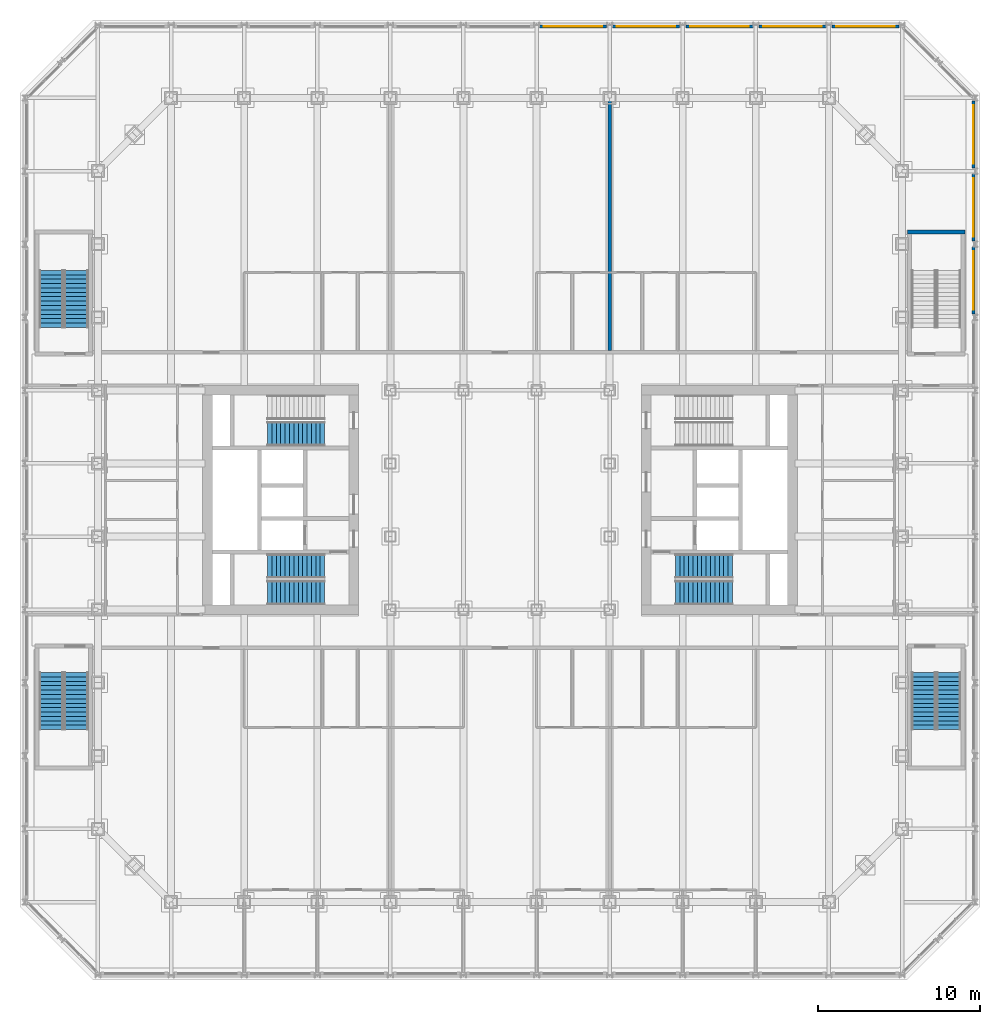
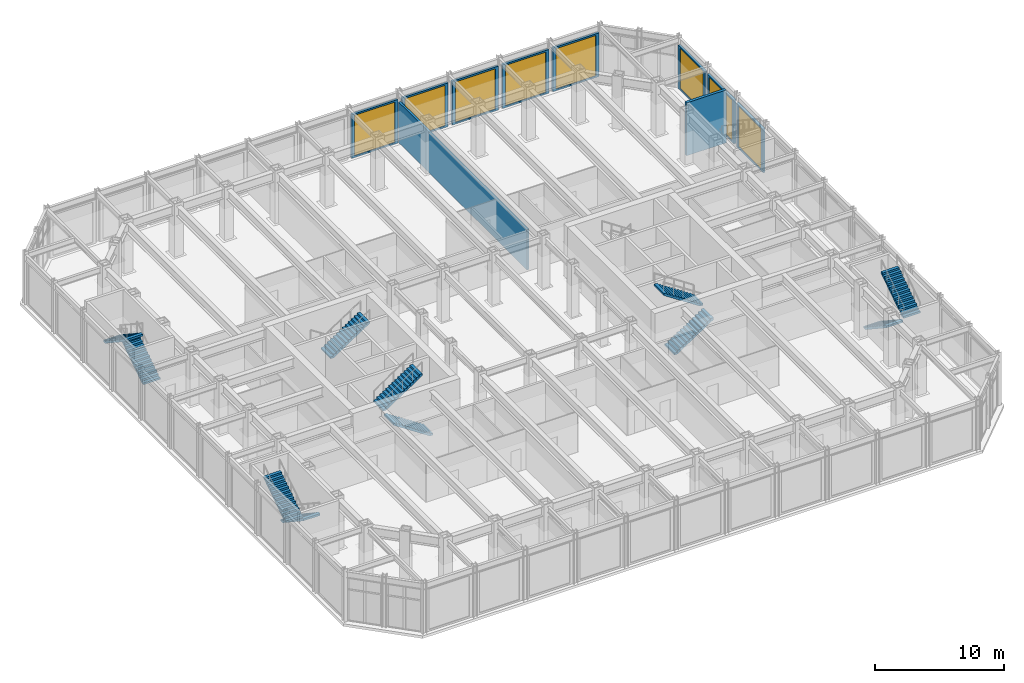
# One storey, part 15 of 19: 11 stair flights, 10 walls, 8 windows, 8 openings, 6 elements without a shape of their own.
"""IFC4 building model written with IfcOpenShell, lengths in metres."""

from ifc_helpers import new_model, si_unit, direction, frame, frame_2d, origin, place, context, subcontext, project, spatial, polyline, rectangle, outline, extrude, material, layer, layer_set, type_object, element, fill, aggregate, save


model = new_model("IFC4")

# Units and contexts
model_context = context("Model", 3, precision=1e-05, world=origin(), true_north=direction((0.0, 1.0)))
body_context = subcontext(model_context, "Body", "Model", "MODEL_VIEW")
ifc_project = project(units=[si_unit("LENGTHUNIT", "METRE"), si_unit("AREAUNIT", "SQUARE_METRE"), si_unit("VOLUMEUNIT", "CUBIC_METRE"), si_unit("PLANEANGLEUNIT", "RADIAN"), si_unit("MASSUNIT", "GRAM", prefix="KILO")], contexts=[model_context])

# Site, building, storey
site_placement = place(None, origin())
site = spatial("IfcSite", under=ifc_project, at=site_placement, CompositionType="ELEMENT")
building_placement = place(site_placement, origin())
building = spatial("IfcBuilding", under=site, at=building_placement, Name="Msasa Ring Tower", CompositionType="ELEMENT")
storey_placement = place(building_placement, frame((0.0, 0.0, 6.0)))
storey = spatial("IfcBuildingStorey", under=building, at=storey_placement, Name="L01", CompositionType="ELEMENT", Elevation=6.0)

# Wall, opening, window
ifc_material_1 = material(Name="Terracotta rainscreen on blockwork", Category="masonry")
ifc_layer_1 = layer(ifc_material_1, 0.199951171875)
ifc_layer_set_1 = layer_set([ifc_layer_1], Name="FW2 TERRACOTTA PODIUM BAY WALL 200")
wall_type_1 = type_object("IfcWallType", Name="FW2 TERRACOTTA PODIUM BAY WALL 200", PredefinedType="SOLIDWALL", material=ifc_layer_set_1)
wall_1_placement = place(storey_placement, frame((29.14990234375, 11.4375, 0.0), z_axis=(0.0, 0.0, 1.0), x_axis=(0.0, 1.0, 0.0)))
wall_1 = element("IfcWall", 1, at=wall_1_placement, inside=storey, type_object=wall_type_1, Name="Podium bay wall E L01 21", PredefinedType="SOLIDWALL", context=body_context, shape_type="SweptSolid", body=[
    extrude(rectangle(XDim=4.125, YDim=0.199951171875, at=frame_2d((2.0625, 0.0))), origin(), (0.0, 0.0, 1.0), 4.1328125),
])
opening_1_placement = place(wall_1_placement, frame((0.262451171875, 0.0, 0.14990234375)))
opening_1 = element("IfcOpeningElement", 2, at=opening_1_placement, cuts=wall_1, Name="Opening SF2", PredefinedType="OPENING", context=body_context, shape_type="SweptSolid", body=[
    extrude(rectangle(XDim=3.60009765625, YDim=3.8330078125, at=frame_2d((1.800048828125, 1.91650390625))), frame((0.0, 0.10986328125, 0.0), z_axis=(0.0, -1.0, 0.0), x_axis=(1.0, 0.0, 0.0)), (0.0, 0.0, 1.0), 0.219970703125),
])
ifc_material_2 = material(Name="Aluminium frame with clear glass", Category="aluminium")
window_type = type_object("IfcWindowType", Name="SF2 SHOPFRONT GLAZING 3600x3833", PartitioningType="SINGLE_PANEL", PredefinedType="WINDOW", material=ifc_material_2)
window_1_placement = place(opening_1_placement, origin())
window_1 = element("IfcWindow", 3, at=window_1_placement, inside=storey, type_object=window_type, Name="Shopfront glazing E L01 21", OverallHeight=3.8330078125, OverallWidth=3.60009765625, PartitioningType="SINGLE_PANEL", PredefinedType="WINDOW", context=body_context, shape_type="SweptSolid", body=[
    extrude(rectangle(XDim=3.60009765625, YDim=3.8330078125, at=frame_2d((1.800048828125, 1.91650390625))), frame((0.0, 0.030029296875, 0.0), z_axis=(0.0, -1.0, 0.0), x_axis=(1.0, 0.0, 0.0)), (0.0, 0.0, 1.0), 0.06005859375),
])
fill(opening_1, window_1)

wall_2_placement = place(storey_placement, frame((29.14990234375, 15.9375, 0.0), z_axis=(0.0, 0.0, 1.0), x_axis=(0.0, 1.0, 0.0)))
wall_2 = element("IfcWall", 4, at=wall_2_placement, inside=storey, type_object=wall_type_1, Name="Podium bay wall E L01 22", PredefinedType="SOLIDWALL", context=body_context, shape_type="SweptSolid", body=[
    extrude(rectangle(XDim=4.124755859375, YDim=0.199951171875, at=frame_2d((2.0625, 0.0))), origin(), (0.0, 0.0, 1.0), 4.1328125),
])
opening_2_placement = place(wall_2_placement, frame((0.262451171875, 0.0, 0.14990234375)))
opening_2 = element("IfcOpeningElement", 5, at=opening_2_placement, cuts=wall_2, Name="Opening SF2", PredefinedType="OPENING", context=body_context, shape_type="SweptSolid", body=[
    extrude(rectangle(XDim=3.60009765625, YDim=3.8330078125, at=frame_2d((1.800048828125, 1.91650390625))), frame((0.0, 0.10986328125, 0.0), z_axis=(0.0, -1.0, 0.0), x_axis=(1.0, 0.0, 0.0)), (0.0, 0.0, 1.0), 0.219970703125),
])
window_2_placement = place(opening_2_placement, origin())
window_2 = element("IfcWindow", 6, at=window_2_placement, inside=storey, type_object=window_type, Name="Shopfront glazing E L01 22", OverallHeight=3.8330078125, OverallWidth=3.60009765625, PartitioningType="SINGLE_PANEL", PredefinedType="WINDOW", context=body_context, shape_type="SweptSolid", body=[
    extrude(rectangle(XDim=3.60009765625, YDim=3.8330078125, at=frame_2d((1.800048828125, 1.91650390625))), frame((0.0, 0.030029296875, 0.0), z_axis=(0.0, -1.0, 0.0), x_axis=(1.0, 0.0, 0.0)), (0.0, 0.0, 1.0), 0.06005859375),
])
fill(opening_2, window_2)

wall_3_placement = place(storey_placement, frame((29.14990234375, 20.437744140625, 0.0), z_axis=(0.0, 0.0, 1.0), x_axis=(0.0, 1.0, 0.0)))
wall_3 = element("IfcWall", 7, at=wall_3_placement, inside=storey, type_object=wall_type_1, Name="Podium bay wall E L01 23", PredefinedType="SOLIDWALL", context=body_context, shape_type="SweptSolid", body=[
    extrude(rectangle(XDim=4.12451171875, YDim=0.199951171875, at=frame_2d((2.062255859375, 0.0))), origin(), (0.0, 0.0, 1.0), 4.1328125),
])
opening_3_placement = place(wall_3_placement, frame((0.26220703125, 0.0, 0.14990234375)))
opening_3 = element("IfcOpeningElement", 8, at=opening_3_placement, cuts=wall_3, Name="Opening SF2", PredefinedType="OPENING", context=body_context, shape_type="SweptSolid", body=[
    extrude(rectangle(XDim=3.60009765625, YDim=3.8330078125, at=frame_2d((1.800048828125, 1.91650390625))), frame((0.0, 0.10986328125, 0.0), z_axis=(0.0, -1.0, 0.0), x_axis=(1.0, 0.0, 0.0)), (0.0, 0.0, 1.0), 0.219970703125),
])
window_3_placement = place(opening_3_placement, origin())
window_3 = element("IfcWindow", 9, at=window_3_placement, inside=storey, type_object=window_type, Name="Shopfront glazing E L01 23", OverallHeight=3.8330078125, OverallWidth=3.60009765625, PartitioningType="SINGLE_PANEL", PredefinedType="WINDOW", context=body_context, shape_type="SweptSolid", body=[
    extrude(rectangle(XDim=3.60009765625, YDim=3.8330078125, at=frame_2d((1.800048828125, 1.91650390625))), frame((0.0, 0.030029296875, 0.0), z_axis=(0.0, -1.0, 0.0), x_axis=(1.0, 0.0, 0.0)), (0.0, 0.0, 1.0), 0.06005859375),
])
fill(opening_3, window_3)

wall_4_placement = place(storey_placement, frame((2.437744140625, 29.14990234375, 0.0), z_axis=(0.0, 0.0, 1.0), x_axis=(1.0, 0.0, 0.0)))
wall_4 = element("IfcWall", 10, at=wall_4_placement, inside=storey, type_object=wall_type_1, Name="Podium bay wall N L01 32", PredefinedType="SOLIDWALL", context=body_context, shape_type="SweptSolid", body=[
    extrude(rectangle(XDim=4.124755859375, YDim=0.199951171875, at=frame_2d((2.0625, 0.0))), origin(), (0.0, 0.0, 1.0), 4.1328125),
])
opening_4_placement = place(wall_4_placement, frame((0.26220703125, 0.0, 0.14990234375)))
opening_4 = element("IfcOpeningElement", 11, at=opening_4_placement, cuts=wall_4, Name="Opening SF2", PredefinedType="OPENING", context=body_context, shape_type="SweptSolid", body=[
    extrude(rectangle(XDim=3.60009765625, YDim=3.8330078125, at=frame_2d((1.800048828125, 1.91650390625))), frame((0.0, 0.10986328125, 0.0), z_axis=(0.0, -1.0, 0.0), x_axis=(1.0, 0.0, 0.0)), (0.0, 0.0, 1.0), 0.219970703125),
])
window_4_placement = place(opening_4_placement, origin())
window_4 = element("IfcWindow", 12, at=window_4_placement, inside=storey, type_object=window_type, Name="Shopfront glazing N L01 32", OverallHeight=3.8330078125, OverallWidth=3.60009765625, PartitioningType="SINGLE_PANEL", PredefinedType="WINDOW", context=body_context, shape_type="SweptSolid", body=[
    extrude(rectangle(XDim=3.60009765625, YDim=3.8330078125, at=frame_2d((1.800048828125, 1.91650390625))), frame((0.0, 0.030029296875, 0.0), z_axis=(0.0, -1.0, 0.0), x_axis=(1.0, 0.0, 0.0)), (0.0, 0.0, 1.0), 0.06005859375),
])
fill(opening_4, window_4)

wall_5_placement = place(storey_placement, frame((6.9375, 29.14990234375, 0.0), z_axis=(0.0, 0.0, 1.0), x_axis=(1.0, 0.0, 0.0)))
wall_5 = element("IfcWall", 13, at=wall_5_placement, inside=storey, type_object=wall_type_1, Name="Podium bay wall N L01 33", PredefinedType="SOLIDWALL", context=body_context, shape_type="SweptSolid", body=[
    extrude(rectangle(XDim=4.125, YDim=0.199951171875, at=frame_2d((2.0625, 0.0))), origin(), (0.0, 0.0, 1.0), 4.1328125),
])
opening_5_placement = place(wall_5_placement, frame((0.262451171875, 0.0, 0.14990234375)))
opening_5 = element("IfcOpeningElement", 14, at=opening_5_placement, cuts=wall_5, Name="Opening SF2", PredefinedType="OPENING", context=body_context, shape_type="SweptSolid", body=[
    extrude(rectangle(XDim=3.60009765625, YDim=3.8330078125, at=frame_2d((1.800048828125, 1.91650390625))), frame((0.0, 0.10986328125, 0.0), z_axis=(0.0, -1.0, 0.0), x_axis=(1.0, 0.0, 0.0)), (0.0, 0.0, 1.0), 0.219970703125),
])
window_5_placement = place(opening_5_placement, origin())
window_5 = element("IfcWindow", 15, at=window_5_placement, inside=storey, type_object=window_type, Name="Shopfront glazing N L01 33", OverallHeight=3.8330078125, OverallWidth=3.60009765625, PartitioningType="SINGLE_PANEL", PredefinedType="WINDOW", context=body_context, shape_type="SweptSolid", body=[
    extrude(rectangle(XDim=3.60009765625, YDim=3.8330078125, at=frame_2d((1.800048828125, 1.91650390625))), frame((0.0, 0.030029296875, 0.0), z_axis=(0.0, -1.0, 0.0), x_axis=(1.0, 0.0, 0.0)), (0.0, 0.0, 1.0), 0.06005859375),
])
fill(opening_5, window_5)

wall_6_placement = place(storey_placement, frame((11.4375, 29.14990234375, 0.0), z_axis=(0.0, 0.0, 1.0), x_axis=(1.0, 0.0, 0.0)))
wall_6 = element("IfcWall", 16, at=wall_6_placement, inside=storey, type_object=wall_type_1, Name="Podium bay wall N L01 34", PredefinedType="SOLIDWALL", context=body_context, shape_type="SweptSolid", body=[
    extrude(rectangle(XDim=4.125, YDim=0.199951171875, at=frame_2d((2.0625, 0.0))), origin(), (0.0, 0.0, 1.0), 4.1328125),
])
opening_6_placement = place(wall_6_placement, frame((0.262451171875, 0.0, 0.14990234375)))
opening_6 = element("IfcOpeningElement", 17, at=opening_6_placement, cuts=wall_6, Name="Opening SF2", PredefinedType="OPENING", context=body_context, shape_type="SweptSolid", body=[
    extrude(rectangle(XDim=3.60009765625, YDim=3.8330078125, at=frame_2d((1.800048828125, 1.91650390625))), frame((0.0, 0.10986328125, 0.0), z_axis=(0.0, -1.0, 0.0), x_axis=(1.0, 0.0, 0.0)), (0.0, 0.0, 1.0), 0.219970703125),
])
window_6_placement = place(opening_6_placement, origin())
window_6 = element("IfcWindow", 18, at=window_6_placement, inside=storey, type_object=window_type, Name="Shopfront glazing N L01 34", OverallHeight=3.8330078125, OverallWidth=3.60009765625, PartitioningType="SINGLE_PANEL", PredefinedType="WINDOW", context=body_context, shape_type="SweptSolid", body=[
    extrude(rectangle(XDim=3.60009765625, YDim=3.8330078125, at=frame_2d((1.800048828125, 1.91650390625))), frame((0.0, 0.030029296875, 0.0), z_axis=(0.0, -1.0, 0.0), x_axis=(1.0, 0.0, 0.0)), (0.0, 0.0, 1.0), 0.06005859375),
])
fill(opening_6, window_6)

wall_7_placement = place(storey_placement, frame((15.9375, 29.14990234375, 0.0), z_axis=(0.0, 0.0, 1.0), x_axis=(1.0, 0.0, 0.0)))
wall_7 = element("IfcWall", 19, at=wall_7_placement, inside=storey, type_object=wall_type_1, Name="Podium bay wall N L01 35", PredefinedType="SOLIDWALL", context=body_context, shape_type="SweptSolid", body=[
    extrude(rectangle(XDim=4.124755859375, YDim=0.199951171875, at=frame_2d((2.0625, 0.0))), origin(), (0.0, 0.0, 1.0), 4.1328125),
])
opening_7_placement = place(wall_7_placement, frame((0.262451171875, 0.0, 0.14990234375)))
opening_7 = element("IfcOpeningElement", 20, at=opening_7_placement, cuts=wall_7, Name="Opening SF2", PredefinedType="OPENING", context=body_context, shape_type="SweptSolid", body=[
    extrude(rectangle(XDim=3.60009765625, YDim=3.8330078125, at=frame_2d((1.800048828125, 1.91650390625))), frame((0.0, 0.10986328125, 0.0), z_axis=(0.0, -1.0, 0.0), x_axis=(1.0, 0.0, 0.0)), (0.0, 0.0, 1.0), 0.219970703125),
])
window_7_placement = place(opening_7_placement, origin())
window_7 = element("IfcWindow", 21, at=window_7_placement, inside=storey, type_object=window_type, Name="Shopfront glazing N L01 35", OverallHeight=3.8330078125, OverallWidth=3.60009765625, PartitioningType="SINGLE_PANEL", PredefinedType="WINDOW", context=body_context, shape_type="SweptSolid", body=[
    extrude(rectangle(XDim=3.60009765625, YDim=3.8330078125, at=frame_2d((1.800048828125, 1.91650390625))), frame((0.0, 0.030029296875, 0.0), z_axis=(0.0, -1.0, 0.0), x_axis=(1.0, 0.0, 0.0)), (0.0, 0.0, 1.0), 0.06005859375),
])
fill(opening_7, window_7)

wall_8_placement = place(storey_placement, frame((20.437744140625, 29.14990234375, 0.0), z_axis=(0.0, 0.0, 1.0), x_axis=(1.0, 0.0, 0.0)))
wall_8 = element("IfcWall", 22, at=wall_8_placement, inside=storey, type_object=wall_type_1, Name="Podium bay wall N L01 36", PredefinedType="SOLIDWALL", context=body_context, shape_type="SweptSolid", body=[
    extrude(rectangle(XDim=4.12451171875, YDim=0.199951171875, at=frame_2d((2.062255859375, 0.0))), origin(), (0.0, 0.0, 1.0), 4.1328125),
])
opening_8_placement = place(wall_8_placement, frame((0.26220703125, 0.0, 0.14990234375)))
opening_8 = element("IfcOpeningElement", 23, at=opening_8_placement, cuts=wall_8, Name="Opening SF2", PredefinedType="OPENING", context=body_context, shape_type="SweptSolid", body=[
    extrude(rectangle(XDim=3.60009765625, YDim=3.8330078125, at=frame_2d((1.800048828125, 1.91650390625))), frame((0.0, 0.10986328125, 0.0), z_axis=(0.0, -1.0, 0.0), x_axis=(1.0, 0.0, 0.0)), (0.0, 0.0, 1.0), 0.219970703125),
])
window_8_placement = place(opening_8_placement, origin())
window_8 = element("IfcWindow", 24, at=window_8_placement, inside=storey, type_object=window_type, Name="Shopfront glazing N L01 36", OverallHeight=3.8330078125, OverallWidth=3.60009765625, PartitioningType="SINGLE_PANEL", PredefinedType="WINDOW", context=body_context, shape_type="SweptSolid", body=[
    extrude(rectangle(XDim=3.60009765625, YDim=3.8330078125, at=frame_2d((1.800048828125, 1.91650390625))), frame((0.0, 0.030029296875, 0.0), z_axis=(0.0, -1.0, 0.0), x_axis=(1.0, 0.0, 0.0)), (0.0, 0.0, 1.0), 0.06005859375),
])
fill(opening_8, window_8)

# Walls
ifc_material_3 = material(Name="Dense concrete blockwork, plastered both faces", Category="masonry")
ifc_layer_2 = layer(ifc_material_3, 0.25)
ifc_layer_set_2 = layer_set([ifc_layer_2], Name="PT3 APARTMENT SEPARATING WALL 250")
wall_type_2 = type_object("IfcWallType", Name="PT3 APARTMENT SEPARATING WALL 250", PredefinedType="PARTITIONING", material=ifc_layer_set_2)
wall_9_placement = place(storey_placement, frame((6.75, 9.199951171875, 0.0), z_axis=(0.0, 0.0, 1.0), x_axis=(0.0, 1.0, 0.0)))
element("IfcWall", 25, at=wall_9_placement, inside=storey, type_object=wall_type_2, Name="Party wall L01-PWN+6.75", PredefinedType="PARTITIONING", context=body_context, shape_type="SweptSolid", body=[
    extrude(rectangle(XDim=19.888916015625, YDim=0.199951171875, at=frame_2d((9.9443359375, 0.0))), origin(), (0.0, 0.0, 1.0), 3.8291015625),
])
ifc_material_4 = material(Name="Concrete C60/75", Category="concrete")
ifc_layer_3 = layer(ifc_material_4, 0.25)
ifc_layer_set_3 = layer_set([ifc_layer_3], Name="SW1 STAIR WALL 250")
wall_type_3 = type_object("IfcWallType", Name="SW1 STAIR WALL 250", PredefinedType="SHEAR", material=ifc_layer_set_3)
wall_10_placement = place(storey_placement, frame((25.074951171875, 16.5, 0.0), z_axis=(0.0, 0.0, 1.0), x_axis=(1.0, 0.0, 0.0)))
element("IfcWall", 26, at=wall_10_placement, inside=storey, type_object=wall_type_3, Name="Podium stair EN wall N L01", PredefinedType="SHEAR", context=body_context, shape_type="SweptSolid", body=[
    extrude(rectangle(XDim=3.550048828125, YDim=0.25, at=frame_2d((1.77490234375, 0.0))), origin(), (0.0, 0.0, 1.0), 5.0),
])

# Stair, stair flights
ifc_material_5 = material(Name="Concrete C40/50", Category="concrete")
stair_type_1 = type_object("IfcStairType", Name="STC CORE STAIR 28 RISERS 178.6", PredefinedType="HALF_TURN_STAIR", material=ifc_material_5)
stair_1_placement = place(storey_placement, origin())
stair_1 = element("IfcStair", 27, at=stair_1_placement, inside=storey, type_object=stair_type_1, Name="Core stair SEA L01", PredefinedType="HALF_TURN_STAIR")
ifc_material_6 = material(Name="Concrete C40/50", Category="concrete")
stair_flight_type_1 = type_object("IfcStairFlightType", Name="ST13 CORE STAIR FLIGHT 1500 14 RISERS 178.6", PredefinedType="STRAIGHT", material=ifc_material_6)
stair_flight_1_placement = place(storey_placement, frame((10.800048828125, -5.699951171875, 0.0), z_axis=(0.0, 0.0, 1.0), x_axis=(1.0, 0.0, 0.0)))
stair_flight_1 = element("IfcStairFlight", 28, at=stair_flight_1_placement, type_object=stair_flight_type_1, Name="SEA flight 1", NumberOfRisers=14, NumberOfTreads=13, PredefinedType="STRAIGHT", RiserHeight=0.178571429, TreadLength=0.27, context=body_context, shape_type="SweptSolid", body=[
    extrude(outline(polyline([(0.0, 0.0), (0.0, 0.178466796875), (0.27001953125, 0.178466796875), (0.27001953125, 0.357177734375), (0.5400390625, 0.357177734375), (0.5400390625, 0.53564453125), (0.81005859375, 0.53564453125), (0.81005859375, 0.71435546875), (1.080078125, 0.71435546875), (1.080078125, 0.892822265625), (1.35009765625, 0.892822265625), (1.35009765625, 1.071533203125), (1.6201171875, 1.071533203125), (1.6201171875, 1.25), (1.889892578125, 1.25), (1.889892578125, 1.428466796875), (2.159912109375, 1.428466796875), (2.159912109375, 1.607177734375), (2.429931640625, 1.607177734375), (2.429931640625, 1.78564453125), (2.699951171875, 1.78564453125), (2.699951171875, 1.96435546875), (2.969970703125, 1.96435546875), (2.969970703125, 2.142822265625), (3.239990234375, 2.142822265625), (3.239990234375, 2.321533203125), (3.510009765625, 2.321533203125), (3.510009765625, 2.5), (3.510009765625, 2.1416015625), (0.271728515625, 0.0), (0.0, 0.0)])), frame((0.0, 0.75, 0.0), z_axis=(0.0, -1.0, 0.0), x_axis=(1.0, 0.0, 0.0)), (0.0, 0.0, 1.0), 1.5),
])
stair_flight_2_placement = place(storey_placement, frame((14.31005859375, -4.074951171875, 2.5), z_axis=(0.0, 0.0, 1.0), x_axis=(-1.0, 0.0, 0.0)))
stair_flight_2 = element("IfcStairFlight", 29, at=stair_flight_2_placement, type_object=stair_flight_type_1, Name="SEA flight 2", NumberOfRisers=14, NumberOfTreads=13, PredefinedType="STRAIGHT", RiserHeight=0.178571429, TreadLength=0.27, context=body_context, shape_type="SweptSolid", body=[
    extrude(outline(polyline([(0.0, 0.0), (0.0, 0.178466796875), (0.27001953125, 0.178466796875), (0.27001953125, 0.357177734375), (0.5400390625, 0.357177734375), (0.5400390625, 0.53564453125), (0.81005859375, 0.53564453125), (0.81005859375, 0.71435546875), (1.080078125, 0.71435546875), (1.080078125, 0.892822265625), (1.35009765625, 0.892822265625), (1.35009765625, 1.071533203125), (1.6201171875, 1.071533203125), (1.6201171875, 1.25), (1.889892578125, 1.25), (1.889892578125, 1.428466796875), (2.159912109375, 1.428466796875), (2.159912109375, 1.607177734375), (2.429931640625, 1.607177734375), (2.429931640625, 1.78564453125), (2.699951171875, 1.78564453125), (2.699951171875, 1.96435546875), (2.969970703125, 1.96435546875), (2.969970703125, 2.142822265625), (3.239990234375, 2.142822265625), (3.239990234375, 2.321533203125), (3.510009765625, 2.321533203125), (3.510009765625, 2.5), (3.510009765625, 2.1416015625), (0.271728515625, 0.0), (0.0, 0.0)])), frame((0.0, 0.75, 0.0), z_axis=(0.0, -1.0, 0.0), x_axis=(1.0, 0.0, 0.0)), (0.0, 0.0, 1.0), 1.5),
])
aggregate(stair_1, [stair_flight_1, stair_flight_2])

stair_2_placement = place(storey_placement, origin())
stair_2 = element("IfcStair", 30, at=stair_2_placement, inside=storey, type_object=stair_type_1, Name="Core stair SWA L01", PredefinedType="HALF_TURN_STAIR")
stair_flight_3_placement = place(storey_placement, frame((-10.800048828125, -5.699951171875, 0.0), z_axis=(0.0, 0.0, 1.0), x_axis=(-1.0, 0.0, 0.0)))
stair_flight_3 = element("IfcStairFlight", 31, at=stair_flight_3_placement, type_object=stair_flight_type_1, Name="SWA flight 1", NumberOfRisers=14, NumberOfTreads=13, PredefinedType="STRAIGHT", RiserHeight=0.178571429, TreadLength=0.27, context=body_context, shape_type="SweptSolid", body=[
    extrude(outline(polyline([(0.0, 0.0), (0.0, 0.178466796875), (0.27001953125, 0.178466796875), (0.27001953125, 0.357177734375), (0.5400390625, 0.357177734375), (0.5400390625, 0.53564453125), (0.81005859375, 0.53564453125), (0.81005859375, 0.71435546875), (1.080078125, 0.71435546875), (1.080078125, 0.892822265625), (1.35009765625, 0.892822265625), (1.35009765625, 1.071533203125), (1.6201171875, 1.071533203125), (1.6201171875, 1.25), (1.889892578125, 1.25), (1.889892578125, 1.428466796875), (2.159912109375, 1.428466796875), (2.159912109375, 1.607177734375), (2.429931640625, 1.607177734375), (2.429931640625, 1.78564453125), (2.699951171875, 1.78564453125), (2.699951171875, 1.96435546875), (2.969970703125, 1.96435546875), (2.969970703125, 2.142822265625), (3.239990234375, 2.142822265625), (3.239990234375, 2.321533203125), (3.510009765625, 2.321533203125), (3.510009765625, 2.5), (3.510009765625, 2.1416015625), (0.271728515625, 0.0), (0.0, 0.0)])), frame((0.0, 0.75, 0.0), z_axis=(0.0, -1.0, 0.0), x_axis=(1.0, 0.0, 0.0)), (0.0, 0.0, 1.0), 1.5),
])
stair_flight_4_placement = place(storey_placement, frame((-14.31005859375, -4.074951171875, 2.5), z_axis=(0.0, 0.0, 1.0), x_axis=(1.0, 0.0, 0.0)))
stair_flight_4 = element("IfcStairFlight", 32, at=stair_flight_4_placement, type_object=stair_flight_type_1, Name="SWA flight 2", NumberOfRisers=14, NumberOfTreads=13, PredefinedType="STRAIGHT", RiserHeight=0.178571429, TreadLength=0.27, context=body_context, shape_type="SweptSolid", body=[
    extrude(outline(polyline([(0.0, 0.0), (0.0, 0.178466796875), (0.27001953125, 0.178466796875), (0.27001953125, 0.357177734375), (0.5400390625, 0.357177734375), (0.5400390625, 0.53564453125), (0.81005859375, 0.53564453125), (0.81005859375, 0.71435546875), (1.080078125, 0.71435546875), (1.080078125, 0.892822265625), (1.35009765625, 0.892822265625), (1.35009765625, 1.071533203125), (1.6201171875, 1.071533203125), (1.6201171875, 1.25), (1.889892578125, 1.25), (1.889892578125, 1.428466796875), (2.159912109375, 1.428466796875), (2.159912109375, 1.607177734375), (2.429931640625, 1.607177734375), (2.429931640625, 1.78564453125), (2.699951171875, 1.78564453125), (2.699951171875, 1.96435546875), (2.969970703125, 1.96435546875), (2.969970703125, 2.142822265625), (3.239990234375, 2.142822265625), (3.239990234375, 2.321533203125), (3.510009765625, 2.321533203125), (3.510009765625, 2.5), (3.510009765625, 2.1416015625), (0.271728515625, 0.0), (0.0, 0.0)])), frame((0.0, 0.75, 0.0), z_axis=(0.0, -1.0, 0.0), x_axis=(1.0, 0.0, 0.0)), (0.0, 0.0, 1.0), 1.5),
])
aggregate(stair_2, [stair_flight_3, stair_flight_4])

# Stair, stair flight
stair_3_placement = place(storey_placement, origin())
stair_3 = element("IfcStair", 33, at=stair_3_placement, inside=storey, type_object=stair_type_1, Name="Core stair SWB L01", PredefinedType="HALF_TURN_STAIR")
stair_flight_5_placement = place(storey_placement, frame((-14.31005859375, 4.074951171875, 2.5), z_axis=(0.0, 0.0, 1.0), x_axis=(1.0, 0.0, 0.0)))
stair_flight_5 = element("IfcStairFlight", 34, at=stair_flight_5_placement, type_object=stair_flight_type_1, Name="SWB flight 2", NumberOfRisers=14, NumberOfTreads=13, PredefinedType="STRAIGHT", RiserHeight=0.178571429, TreadLength=0.27, context=body_context, shape_type="SweptSolid", body=[
    extrude(outline(polyline([(0.0, 0.0), (0.0, 0.178466796875), (0.27001953125, 0.178466796875), (0.27001953125, 0.357177734375), (0.5400390625, 0.357177734375), (0.5400390625, 0.53564453125), (0.81005859375, 0.53564453125), (0.81005859375, 0.71435546875), (1.080078125, 0.71435546875), (1.080078125, 0.892822265625), (1.35009765625, 0.892822265625), (1.35009765625, 1.071533203125), (1.6201171875, 1.071533203125), (1.6201171875, 1.25), (1.889892578125, 1.25), (1.889892578125, 1.428466796875), (2.159912109375, 1.428466796875), (2.159912109375, 1.607177734375), (2.429931640625, 1.607177734375), (2.429931640625, 1.78564453125), (2.699951171875, 1.78564453125), (2.699951171875, 1.96435546875), (2.969970703125, 1.96435546875), (2.969970703125, 2.142822265625), (3.239990234375, 2.142822265625), (3.239990234375, 2.321533203125), (3.510009765625, 2.321533203125), (3.510009765625, 2.5), (3.510009765625, 2.1416015625), (0.271728515625, 0.0), (0.0, 0.0)])), frame((0.0, 0.75, 0.0), z_axis=(0.0, -1.0, 0.0), x_axis=(1.0, 0.0, 0.0)), (0.0, 0.0, 1.0), 1.5),
])
aggregate(stair_3, [stair_flight_5])

# Stair, stair flights
ifc_material_7 = material(Name="Concrete C40/50", Category="concrete")
stair_type_2 = type_object("IfcStairType", Name="STP PODIUM STAIR 28 RISERS 178.6", PredefinedType="HALF_TURN_STAIR", material=ifc_material_7)
stair_4_placement = place(storey_placement, origin())
stair_4 = element("IfcStair", 35, at=stair_4_placement, inside=storey, type_object=stair_type_2, Name="Podium stair PES L01", PredefinedType="HALF_TURN_STAIR")
ifc_material_8 = material(Name="Concrete C40/50", Category="concrete")
stair_flight_type_2 = type_object("IfcStairFlightType", Name="ST21 PODIUM STAIR FLIGHT 1500 14 RISERS 178.6", PredefinedType="STRAIGHT", material=ifc_material_8)
stair_flight_6_placement = place(storey_placement, frame((26.074951171875, -10.625, 0.0), z_axis=(0.0, 0.0, 1.0), x_axis=(0.0, -1.0, 0.0)))
stair_flight_6 = element("IfcStairFlight", 36, at=stair_flight_6_placement, type_object=stair_flight_type_2, Name="PES flight 1", NumberOfRisers=14, NumberOfTreads=13, PredefinedType="STRAIGHT", RiserHeight=0.178571429, TreadLength=0.27, context=body_context, shape_type="SweptSolid", body=[
    extrude(outline(polyline([(0.0, 0.0), (0.0, 0.178466796875), (0.27001953125, 0.178466796875), (0.27001953125, 0.357177734375), (0.5400390625, 0.357177734375), (0.5400390625, 0.53564453125), (0.81005859375, 0.53564453125), (0.81005859375, 0.71435546875), (1.080078125, 0.71435546875), (1.080078125, 0.892822265625), (1.35009765625, 0.892822265625), (1.35009765625, 1.071533203125), (1.6201171875, 1.071533203125), (1.6201171875, 1.25), (1.889892578125, 1.25), (1.889892578125, 1.428466796875), (2.159912109375, 1.428466796875), (2.159912109375, 1.607177734375), (2.429931640625, 1.607177734375), (2.429931640625, 1.78564453125), (2.699951171875, 1.78564453125), (2.699951171875, 1.96435546875), (2.969970703125, 1.96435546875), (2.969970703125, 2.142822265625), (3.239990234375, 2.142822265625), (3.239990234375, 2.321533203125), (3.510009765625, 2.321533203125), (3.510009765625, 2.5), (3.510009765625, 2.1416015625), (0.271728515625, 0.0), (0.0, 0.0)])), frame((0.0, 0.75, 0.0), z_axis=(0.0, -1.0, 0.0), x_axis=(1.0, 0.0, 0.0)), (0.0, 0.0, 1.0), 1.5),
])
stair_flight_7_placement = place(storey_placement, frame((27.625, -14.135009765625, 2.5), z_axis=(0.0, 0.0, 1.0), x_axis=(0.0, 1.0, 0.0)))
stair_flight_7 = element("IfcStairFlight", 37, at=stair_flight_7_placement, type_object=stair_flight_type_2, Name="PES flight 2", NumberOfRisers=14, NumberOfTreads=13, PredefinedType="STRAIGHT", RiserHeight=0.178571429, TreadLength=0.27, context=body_context, shape_type="SweptSolid", body=[
    extrude(outline(polyline([(0.0, 0.0), (0.0, 0.178466796875), (0.27001953125, 0.178466796875), (0.27001953125, 0.357177734375), (0.5400390625, 0.357177734375), (0.5400390625, 0.53564453125), (0.81005859375, 0.53564453125), (0.81005859375, 0.71435546875), (1.080078125, 0.71435546875), (1.080078125, 0.892822265625), (1.35009765625, 0.892822265625), (1.35009765625, 1.071533203125), (1.6201171875, 1.071533203125), (1.6201171875, 1.25), (1.889892578125, 1.25), (1.889892578125, 1.428466796875), (2.159912109375, 1.428466796875), (2.159912109375, 1.607177734375), (2.429931640625, 1.607177734375), (2.429931640625, 1.78564453125), (2.699951171875, 1.78564453125), (2.699951171875, 1.96435546875), (2.969970703125, 1.96435546875), (2.969970703125, 2.142822265625), (3.239990234375, 2.142822265625), (3.239990234375, 2.321533203125), (3.510009765625, 2.321533203125), (3.510009765625, 2.5), (3.510009765625, 2.1416015625), (0.271728515625, 0.0), (0.0, 0.0)])), frame((0.0, 0.75, 0.0), z_axis=(0.0, -1.0, 0.0), x_axis=(1.0, 0.0, 0.0)), (0.0, 0.0, 1.0), 1.5),
])
aggregate(stair_4, [stair_flight_6, stair_flight_7])

stair_5_placement = place(storey_placement, origin())
stair_5 = element("IfcStair", 38, at=stair_5_placement, inside=storey, type_object=stair_type_2, Name="Podium stair PWN L01", PredefinedType="HALF_TURN_STAIR")
stair_flight_8_placement = place(storey_placement, frame((-26.074951171875, 10.625, 0.0), z_axis=(0.0, 0.0, 1.0), x_axis=(0.0, 1.0, 0.0)))
stair_flight_8 = element("IfcStairFlight", 39, at=stair_flight_8_placement, type_object=stair_flight_type_2, Name="PWN flight 1", NumberOfRisers=14, NumberOfTreads=13, PredefinedType="STRAIGHT", RiserHeight=0.178571429, TreadLength=0.27, context=body_context, shape_type="SweptSolid", body=[
    extrude(outline(polyline([(0.0, 0.0), (0.0, 0.178466796875), (0.27001953125, 0.178466796875), (0.27001953125, 0.357177734375), (0.5400390625, 0.357177734375), (0.5400390625, 0.53564453125), (0.81005859375, 0.53564453125), (0.81005859375, 0.71435546875), (1.080078125, 0.71435546875), (1.080078125, 0.892822265625), (1.35009765625, 0.892822265625), (1.35009765625, 1.071533203125), (1.6201171875, 1.071533203125), (1.6201171875, 1.25), (1.889892578125, 1.25), (1.889892578125, 1.428466796875), (2.159912109375, 1.428466796875), (2.159912109375, 1.607177734375), (2.429931640625, 1.607177734375), (2.429931640625, 1.78564453125), (2.699951171875, 1.78564453125), (2.699951171875, 1.96435546875), (2.969970703125, 1.96435546875), (2.969970703125, 2.142822265625), (3.239990234375, 2.142822265625), (3.239990234375, 2.321533203125), (3.510009765625, 2.321533203125), (3.510009765625, 2.5), (3.510009765625, 2.1416015625), (0.271728515625, 0.0), (0.0, 0.0)])), frame((0.0, 0.75, 0.0), z_axis=(0.0, -1.0, 0.0), x_axis=(1.0, 0.0, 0.0)), (0.0, 0.0, 1.0), 1.5),
])
stair_flight_9_placement = place(storey_placement, frame((-27.625, 14.135009765625, 2.5), z_axis=(0.0, 0.0, 1.0), x_axis=(0.0, -1.0, 0.0)))
stair_flight_9 = element("IfcStairFlight", 40, at=stair_flight_9_placement, type_object=stair_flight_type_2, Name="PWN flight 2", NumberOfRisers=14, NumberOfTreads=13, PredefinedType="STRAIGHT", RiserHeight=0.178571429, TreadLength=0.27, context=body_context, shape_type="SweptSolid", body=[
    extrude(outline(polyline([(0.0, 0.0), (0.0, 0.178466796875), (0.27001953125, 0.178466796875), (0.27001953125, 0.357177734375), (0.5400390625, 0.357177734375), (0.5400390625, 0.53564453125), (0.81005859375, 0.53564453125), (0.81005859375, 0.71435546875), (1.080078125, 0.71435546875), (1.080078125, 0.892822265625), (1.35009765625, 0.892822265625), (1.35009765625, 1.071533203125), (1.6201171875, 1.071533203125), (1.6201171875, 1.25), (1.889892578125, 1.25), (1.889892578125, 1.428466796875), (2.159912109375, 1.428466796875), (2.159912109375, 1.607177734375), (2.429931640625, 1.607177734375), (2.429931640625, 1.78564453125), (2.699951171875, 1.78564453125), (2.699951171875, 1.96435546875), (2.969970703125, 1.96435546875), (2.969970703125, 2.142822265625), (3.239990234375, 2.142822265625), (3.239990234375, 2.321533203125), (3.510009765625, 2.321533203125), (3.510009765625, 2.5), (3.510009765625, 2.1416015625), (0.271728515625, 0.0), (0.0, 0.0)])), frame((0.0, 0.75, 0.0), z_axis=(0.0, -1.0, 0.0), x_axis=(1.0, 0.0, 0.0)), (0.0, 0.0, 1.0), 1.5),
])
aggregate(stair_5, [stair_flight_8, stair_flight_9])

stair_6_placement = place(storey_placement, origin())
stair_6 = element("IfcStair", 41, at=stair_6_placement, inside=storey, type_object=stair_type_2, Name="Podium stair PWS L01", PredefinedType="HALF_TURN_STAIR")
stair_flight_10_placement = place(storey_placement, frame((-26.074951171875, -10.625, 0.0), z_axis=(0.0, 0.0, 1.0), x_axis=(0.0, -1.0, 0.0)))
stair_flight_10 = element("IfcStairFlight", 42, at=stair_flight_10_placement, type_object=stair_flight_type_2, Name="PWS flight 1", NumberOfRisers=14, NumberOfTreads=13, PredefinedType="STRAIGHT", RiserHeight=0.178571429, TreadLength=0.27, context=body_context, shape_type="SweptSolid", body=[
    extrude(outline(polyline([(0.0, 0.0), (0.0, 0.178466796875), (0.27001953125, 0.178466796875), (0.27001953125, 0.357177734375), (0.5400390625, 0.357177734375), (0.5400390625, 0.53564453125), (0.81005859375, 0.53564453125), (0.81005859375, 0.71435546875), (1.080078125, 0.71435546875), (1.080078125, 0.892822265625), (1.35009765625, 0.892822265625), (1.35009765625, 1.071533203125), (1.6201171875, 1.071533203125), (1.6201171875, 1.25), (1.889892578125, 1.25), (1.889892578125, 1.428466796875), (2.159912109375, 1.428466796875), (2.159912109375, 1.607177734375), (2.429931640625, 1.607177734375), (2.429931640625, 1.78564453125), (2.699951171875, 1.78564453125), (2.699951171875, 1.96435546875), (2.969970703125, 1.96435546875), (2.969970703125, 2.142822265625), (3.239990234375, 2.142822265625), (3.239990234375, 2.321533203125), (3.510009765625, 2.321533203125), (3.510009765625, 2.5), (3.510009765625, 2.1416015625), (0.271728515625, 0.0), (0.0, 0.0)])), frame((0.0, 0.75, 0.0), z_axis=(0.0, -1.0, 0.0), x_axis=(1.0, 0.0, 0.0)), (0.0, 0.0, 1.0), 1.5),
])
stair_flight_11_placement = place(storey_placement, frame((-27.625, -14.135009765625, 2.5), z_axis=(0.0, 0.0, 1.0), x_axis=(0.0, 1.0, 0.0)))
stair_flight_11 = element("IfcStairFlight", 43, at=stair_flight_11_placement, type_object=stair_flight_type_2, Name="PWS flight 2", NumberOfRisers=14, NumberOfTreads=13, PredefinedType="STRAIGHT", RiserHeight=0.178571429, TreadLength=0.27, context=body_context, shape_type="SweptSolid", body=[
    extrude(outline(polyline([(0.0, 0.0), (0.0, 0.178466796875), (0.27001953125, 0.178466796875), (0.27001953125, 0.357177734375), (0.5400390625, 0.357177734375), (0.5400390625, 0.53564453125), (0.81005859375, 0.53564453125), (0.81005859375, 0.71435546875), (1.080078125, 0.71435546875), (1.080078125, 0.892822265625), (1.35009765625, 0.892822265625), (1.35009765625, 1.071533203125), (1.6201171875, 1.071533203125), (1.6201171875, 1.25), (1.889892578125, 1.25), (1.889892578125, 1.428466796875), (2.159912109375, 1.428466796875), (2.159912109375, 1.607177734375), (2.429931640625, 1.607177734375), (2.429931640625, 1.78564453125), (2.699951171875, 1.78564453125), (2.699951171875, 1.96435546875), (2.969970703125, 1.96435546875), (2.969970703125, 2.142822265625), (3.239990234375, 2.142822265625), (3.239990234375, 2.321533203125), (3.510009765625, 2.321533203125), (3.510009765625, 2.5), (3.510009765625, 2.1416015625), (0.271728515625, 0.0), (0.0, 0.0)])), frame((0.0, 0.75, 0.0), z_axis=(0.0, -1.0, 0.0), x_axis=(1.0, 0.0, 0.0)), (0.0, 0.0, 1.0), 1.5),
])
aggregate(stair_6, [stair_flight_10, stair_flight_11])

save(model, "model.ifc")
